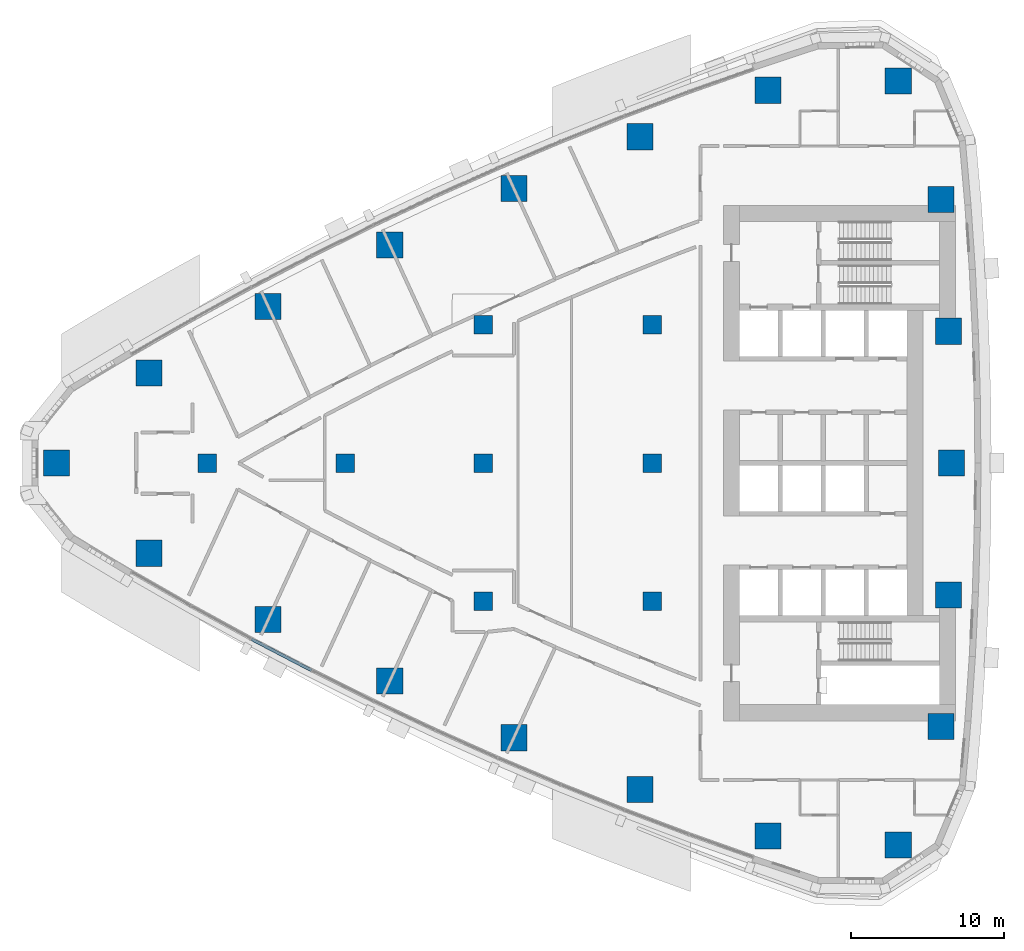
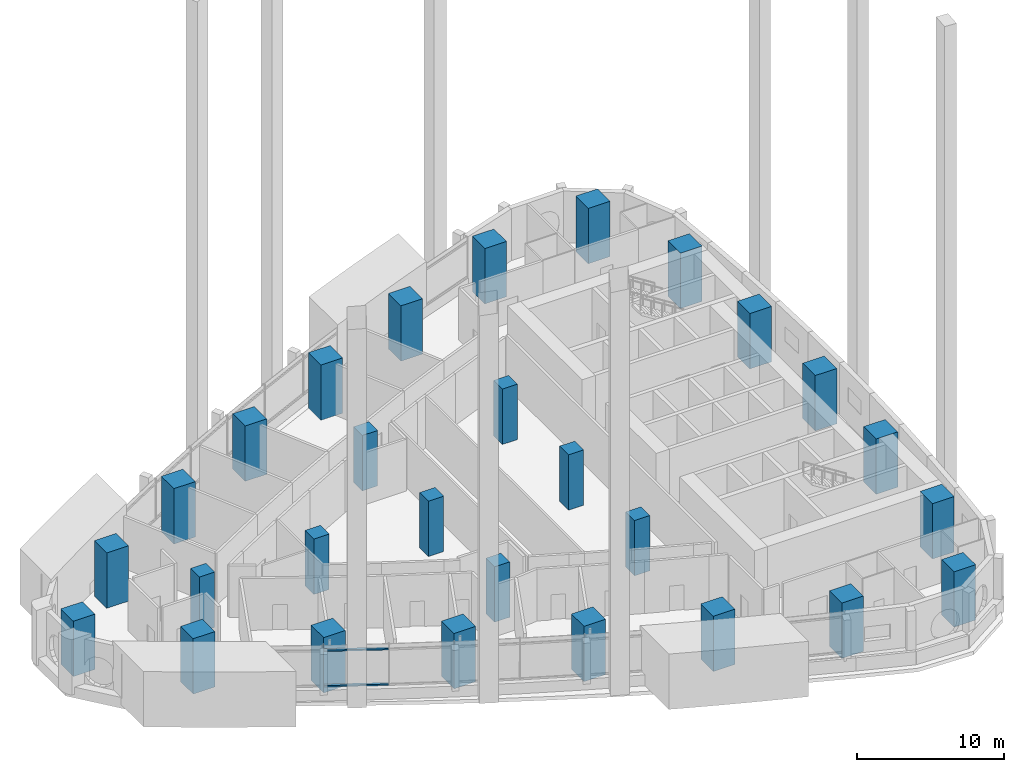
# One storey, part 1 of 17: 28 columns, 2 members, 1 element without a shape of its own.
"""IFC4 building model written with IfcOpenShell, lengths in metres."""

from ifc_helpers import new_model, si_unit, direction, frame, origin, origin_2d, place, context, subcontext, project, spatial, rectangle, extrude, material, layer, layer_set, material_profile, profile_set, type_object, element, aggregate, save


model = new_model("IFC4")

# Units and contexts
model_context = context("Model", 3, precision=1e-05, world=origin(), true_north=direction((0.0, 1.0)))
body_context = subcontext(model_context, "Body", "Model", "MODEL_VIEW")
ifc_project = project(units=[si_unit("LENGTHUNIT", "METRE"), si_unit("AREAUNIT", "SQUARE_METRE"), si_unit("VOLUMEUNIT", "CUBIC_METRE"), si_unit("PLANEANGLEUNIT", "RADIAN"), si_unit("MASSUNIT", "GRAM", prefix="KILO")], contexts=[model_context])

# Site, building, storey
site_placement = place(None, origin())
site = spatial("IfcSite", under=ifc_project, at=site_placement, CompositionType="ELEMENT")
building_placement = place(site_placement, origin())
building = spatial("IfcBuilding", under=site, at=building_placement, Name="Ostrand Prow Hotel Tower", CompositionType="ELEMENT")
storey_placement = place(building_placement, frame((0.0, 0.0, 80.300048828125)))
storey = spatial("IfcBuildingStorey", under=building, at=storey_placement, Name="L18", CompositionType="ELEMENT", Elevation=80.300048828125)

# Columns
ifc_material_1 = material(Name="Concrete C80/95", Category="concrete")
ifc_material_profile_1 = material_profile(ifc_material_1, rectangle(XDim=1.199951171875, YDim=1.199951171875, at=origin_2d()), Name="RC 1200x1200")
ifc_profile_set_1 = profile_set([ifc_material_profile_1], Name="Concrete C80/95")
column_type_1 = type_object("IfcColumnType", Name="Interior column 1200x1200 C80/95", PredefinedType="COLUMN", material=ifc_profile_set_1)
for number, where, z_axis, x_axis, name in (
    (1, (16.0, 0.0, 0.0), (0.0, 0.0, 1.0), (1.0, 0.0, 0.0), "Interior column 16C0"),
    (2, (25.0, 0.0, 0.0), (0.0, 0.0, 1.0), (1.0, 0.0, 0.0), "Interior column 25C0"),
    (3, (34.0, -9.0, 0.0), (0.0, 0.0, 1.0), (1.0, 0.0, 0.0), "Interior column 34S9"),
    (4, (34.0, 0.0, 0.0), (0.0, 0.0, 1.0), (1.0, 0.0, 0.0), "Interior column 34C0"),
    (5, (34.0, 9.0, 0.0), (0.0, 0.0, 1.0), (1.0, 0.0, 0.0), "Interior column 34N9"),
    (6, (45.0, -9.0, 0.0), (0.0, 0.0, 1.0), (1.0, 0.0, 0.0), "Interior column 45S9"),
    (7, (45.0, 0.0, 0.0), (0.0, 0.0, 1.0), (1.0, 0.0, 0.0), "Interior column 45C0"),
    (8, (45.0, 9.0, 0.0), (0.0, 0.0, 1.0), (1.0, 0.0, 0.0), "Interior column 45N9"),
):
    element("IfcColumn", number, at=place(storey_placement, frame(where, z_axis=z_axis, x_axis=x_axis)), inside=storey, type_object=column_type_1, Name=name, PredefinedType="COLUMN", context=body_context, shape_type="SweptSolid", body=[
        extrude(rectangle(XDim=1.199951171875, YDim=1.199951171875, at=origin_2d()), origin(), (0.0, 0.0, 1.0), 4.599853515625),
    ])
ifc_material_2 = material(Name="Concrete C80/95", Category="concrete")
ifc_material_profile_2 = material_profile(ifc_material_2, rectangle(XDim=1.699951171875, YDim=1.699951171875, at=origin_2d()), Name="RC 1700x1700")
ifc_profile_set_2 = profile_set([ifc_material_profile_2], Name="Concrete C80/95")
column_type_2 = type_object("IfcColumnType", Name="Stone-faced mega column 1700x1700 C80/95", PredefinedType="COLUMN", material=ifc_profile_set_2)
for number, where, z_axis, x_axis, name in (
    (9, (6.193115234375, 0.0, 0.0), (0.0, 0.0, 1.0), (1.0, 0.0, 0.0), "Mega column P"),
    (10, (12.221435546875, -5.876220703125, 0.0), (0.0, 0.0, 1.0), (1.0, 0.0, 0.0), "Mega column S1"),
    (11, (19.980712890625, -10.20166015625, 0.0), (0.0, 0.0, 1.0), (1.0, 0.0, 0.0), "Mega column S2"),
    (12, (27.906982421875, -14.212158203125, 0.0), (0.0, 0.0, 1.0), (1.0, 0.0, 0.0), "Mega column S3"),
    (13, (35.98828125, -17.901611328125, 0.0), (0.0, 0.0, 1.0), (1.0, 0.0, 0.0), "Mega column S4"),
    (14, (44.210693359375, -21.263671875, 0.0), (0.0, 0.0, 1.0), (1.0, 0.0, 0.0), "Mega column S5"),
    (15, (52.561767578125, -24.29296875, 0.0), (0.0, 0.0, 1.0), (1.0, 0.0, 0.0), "Mega column S6"),
    (16, (61.0400390625, -24.89697265625, 0.0), (0.0, 0.0, 1.0), (1.0, 0.0, 0.0), "Mega column SE"),
    (17, (63.815673828125, -17.16357421875, 0.0), (0.0, 0.0, 1.0), (1.0, 0.0, 0.0), "Mega column B1"),
    (18, (64.328857421875, -8.588623046875, 0.0), (0.0, 0.0, 1.0), (1.0, 0.0, 0.0), "Mega column B2"),
    (19, (64.5, 0.0, 0.0), (0.0, 0.0, 1.0), (1.0, 0.0, 0.0), "Mega column B3"),
    (20, (64.328857421875, 8.588623046875, 0.0), (0.0, 0.0, 1.0), (1.0, 0.0, 0.0), "Mega column B4"),
    (21, (63.815673828125, 17.16357421875, 0.0), (0.0, 0.0, 1.0), (1.0, 0.0, 0.0), "Mega column B5"),
    (22, (61.0400390625, 24.89697265625, 0.0), (0.0, 0.0, 1.0), (1.0, 0.0, 0.0), "Mega column NE"),
    (23, (52.561767578125, 24.29296875, 0.0), (0.0, 0.0, 1.0), (1.0, 0.0, 0.0), "Mega column N1"),
    (24, (44.210693359375, 21.263671875, 0.0), (0.0, 0.0, 1.0), (1.0, 0.0, 0.0), "Mega column N2"),
    (25, (35.98828125, 17.901611328125, 0.0), (0.0, 0.0, 1.0), (1.0, 0.0, 0.0), "Mega column N3"),
    (26, (27.906982421875, 14.212158203125, 0.0), (0.0, 0.0, 1.0), (1.0, 0.0, 0.0), "Mega column N4"),
    (27, (19.980712890625, 10.20166015625, 0.0), (0.0, 0.0, 1.0), (1.0, 0.0, 0.0), "Mega column N5"),
    (28, (12.221435546875, 5.876220703125, 0.0), (0.0, 0.0, 1.0), (1.0, 0.0, 0.0), "Mega column N6"),
):
    element("IfcColumn", number, at=place(storey_placement, frame(where, z_axis=z_axis, x_axis=x_axis)), inside=storey, type_object=column_type_2, Name=name, PredefinedType="COLUMN", context=body_context, shape_type="SweptSolid", body=[
        extrude(rectangle(XDim=1.699951171875, YDim=1.699951171875, at=origin_2d()), origin(), (0.0, 0.0, 1.0), 4.599853515625),
    ])

# Curtain wall, members
ifc_material_3 = material(Name="Insulated glass in bronze anodised frame", Category="glass")
ifc_layer = layer(ifc_material_3, 0.199951171875)
ifc_layer_set = layer_set([ifc_layer], Name="Insulated glass in bronze anodised frame")
curtain_wall_type = type_object("IfcCurtainWallType", Name="Sky lobby full-height curtain wall", PredefinedType="NOTDEFINED", material=ifc_layer_set)
curtain_wall_placement = place(storey_placement, origin())
curtain_wall = element("IfcCurtainWall", 29, at=curtain_wall_placement, inside=storey, type_object=curtain_wall_type, Name="CW3 run CWS2", PredefinedType="NOTDEFINED")
ifc_material_4 = material(Name="Bronze anodised aluminium", Category="aluminium")
ifc_material_profile_3 = material_profile(ifc_material_4, rectangle(XDim=0.199951171875, YDim=0.1201171875, at=origin_2d()), Name="Transom 120x200 bronze anodised aluminium")
ifc_profile_set_3 = profile_set([ifc_material_profile_3], Name="Bronze anodised aluminium")
member_type = type_object("IfcMemberType", Name="Transom 120x200 bronze anodised aluminium", PredefinedType="USERDEFINED", material=ifc_profile_set_3)
member_1_placement = place(storey_placement, frame((18.89697265625, -11.475830078125, 0.9599609375), z_axis=(0.886901787206, -0.461958028235, 0.0), x_axis=(0.461958028235, 0.886901787206, 0.0)))
member_1 = element("IfcMember", 30, at=member_1_placement, type_object=member_type, Name="CW3 transom 1.1", ObjectType="TRANSOM", PredefinedType="USERDEFINED", context=body_context, shape_type="SweptSolid", body=[
    extrude(rectangle(XDim=0.199951171875, YDim=0.1201171875, at=origin_2d()), origin(), (0.0, 0.0, 1.0), 4.406005859375),
])
member_2_placement = place(storey_placement, frame((18.89697265625, -11.475830078125, 3.89990234375), z_axis=(0.886901787206, -0.461958028235, 0.0), x_axis=(0.461958028235, 0.886901787206, 0.0)))
member_2 = element("IfcMember", 31, at=member_2_placement, type_object=member_type, Name="CW3 transom 1.2", ObjectType="TRANSOM", PredefinedType="USERDEFINED", context=body_context, shape_type="SweptSolid", body=[
    extrude(rectangle(XDim=0.199951171875, YDim=0.1201171875, at=origin_2d()), origin(), (0.0, 0.0, 1.0), 4.406005859375),
])
aggregate(curtain_wall, [member_1, member_2])

save(model, "model.ifc")
